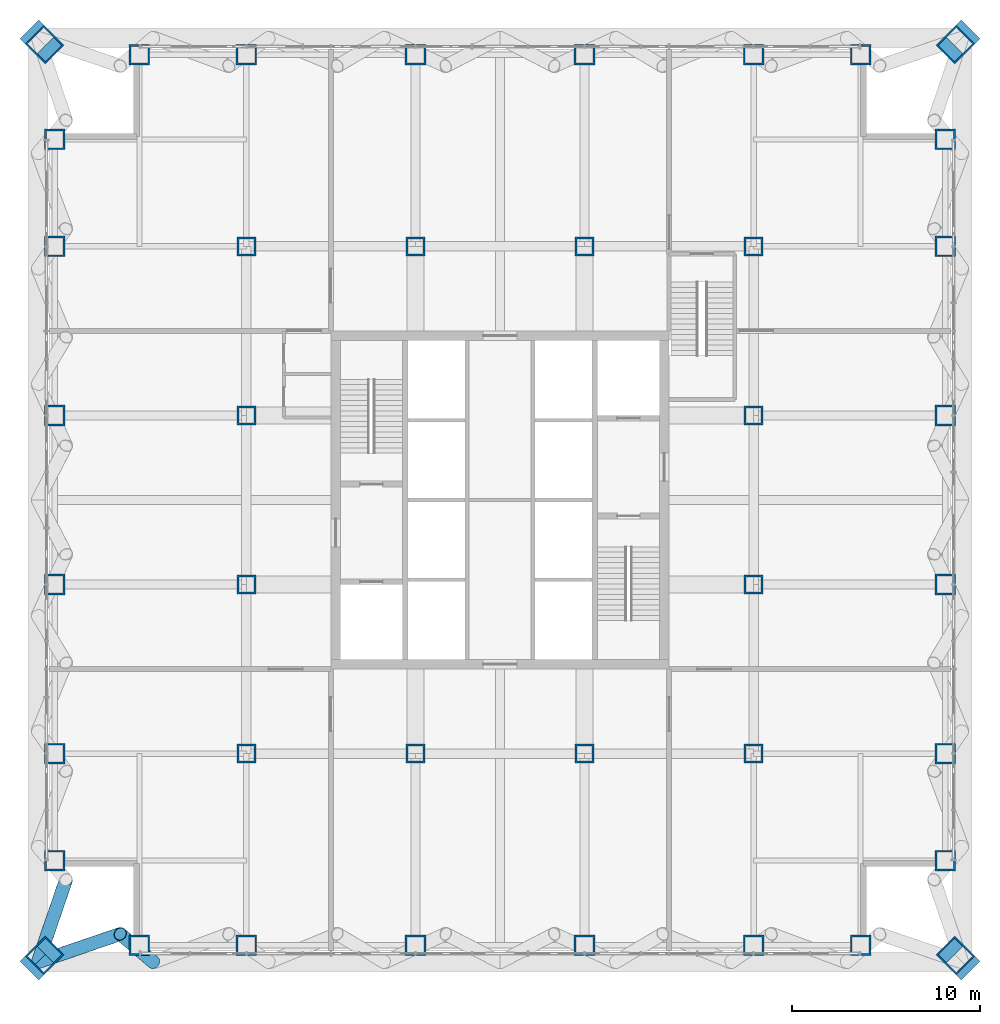
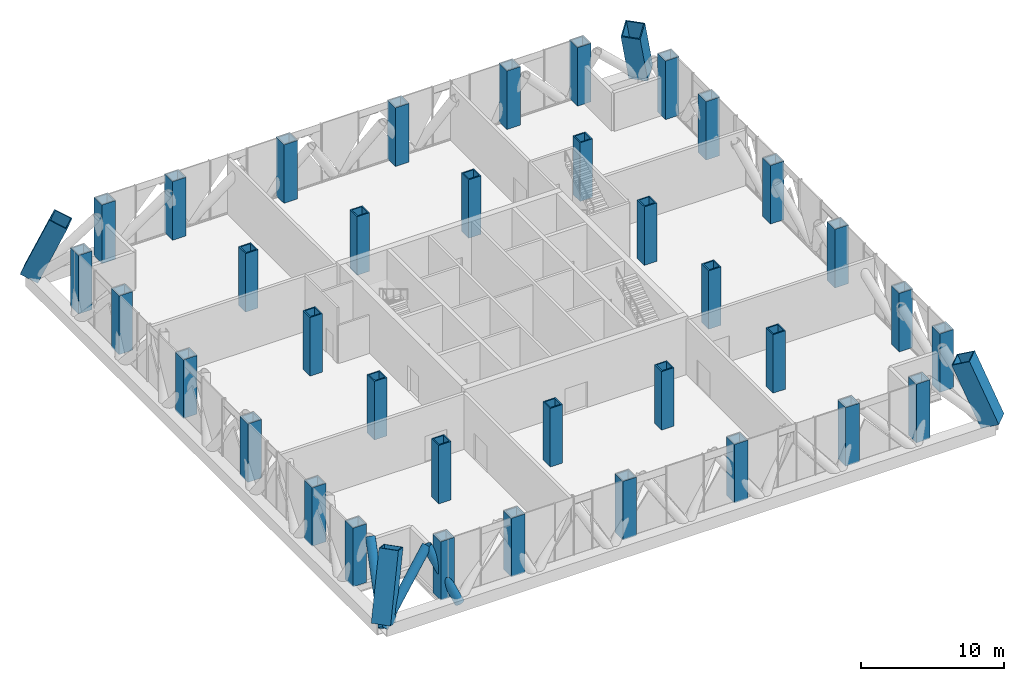
# One storey, part 1 of 29: 40 columns, 3 members.
"""IFC4 building model written with IfcOpenShell, lengths in metres."""

from ifc_helpers import new_model, si_unit, direction, frame, origin, origin_2d, place, context, subcontext, project, spatial, hollow_rectangle, hollow_circle, extrude, material, material_profile, profile_set, type_object, element, save


model = new_model("IFC4")

# Units and contexts
model_context = context("Model", 3, precision=1e-05, world=origin(), true_north=direction((0.0, 1.0)))
body_context = subcontext(model_context, "Body", "Model", "MODEL_VIEW")
ifc_project = project(units=[si_unit("LENGTHUNIT", "METRE"), si_unit("AREAUNIT", "SQUARE_METRE"), si_unit("VOLUMEUNIT", "CUBIC_METRE"), si_unit("PLANEANGLEUNIT", "RADIAN"), si_unit("MASSUNIT", "GRAM", prefix="KILO")], contexts=[model_context])

# Site, building, storey
site_placement = place(None, origin())
site = spatial("IfcSite", under=ifc_project, at=site_placement, CompositionType="ELEMENT")
building_placement = place(site_placement, origin())
building = spatial("IfcBuilding", under=site, at=building_placement, Name="Malebo Sky Hospital", CompositionType="ELEMENT")
storey_placement = place(building_placement, frame((0.0, 0.0, 172.0)))
storey = spatial("IfcBuildingStorey", under=building, at=storey_placement, Name="L41", CompositionType="ELEMENT", Elevation=172.0)

# Columns
ifc_material = material(Name="Steel S460", Category="steel")
ifc_material_profile_1 = material_profile(ifc_material, hollow_rectangle(XDim=1.0, YDim=1.0, WallThickness=0.10009765625, at=origin_2d()), Name="BOX 1000x1000x100")
ifc_profile_set_1 = profile_set([ifc_material_profile_1], Name="Steel S460")
column_type_1 = type_object("IfcColumnType", Name="INNER COLUMN BOX 1000x1000x100", PredefinedType="COLUMN", material=ifc_profile_set_1)
for number, where, z_axis, x_axis, name in (
    (1, (46.5, 48.5, 0.0), (0.0, 0.0, 1.0), (1.0, 0.0, 0.0), "Column IC9 L41"),
    (2, (73.5, 48.5, 0.0), (0.0, 0.0, 1.0), (1.0, 0.0, 0.0), "Column IC9 L41"),
    (3, (73.5, 75.5, 0.0), (0.0, 0.0, 1.0), (1.0, 0.0, 0.0), "Column IC9 L41"),
    (4, (46.5, 75.5, 0.0), (0.0, 0.0, 1.0), (1.0, 0.0, 0.0), "Column IC9 L41"),
    (5, (55.5, 48.5, 0.0), (0.0, 0.0, 1.0), (1.0, 0.0, 0.0), "Column IC9 L41"),
    (6, (64.5, 48.5, 0.0), (0.0, 0.0, 1.0), (1.0, 0.0, 0.0), "Column IC9 L41"),
    (7, (55.5, 75.5, 0.0), (0.0, 0.0, 1.0), (1.0, 0.0, 0.0), "Column IC9 L41"),
    (8, (64.5, 75.5, 0.0), (0.0, 0.0, 1.0), (1.0, 0.0, 0.0), "Column IC9 L41"),
    (9, (46.5, 57.5, 0.0), (0.0, 0.0, 1.0), (1.0, 0.0, 0.0), "Column IC9 L41"),
    (10, (46.5, 66.5, 0.0), (0.0, 0.0, 1.0), (1.0, 0.0, 0.0), "Column IC9 L41"),
    (11, (73.5, 57.5, 0.0), (0.0, 0.0, 1.0), (1.0, 0.0, 0.0), "Column IC9 L41"),
    (12, (73.5, 66.5, 0.0), (0.0, 0.0, 1.0), (1.0, 0.0, 0.0), "Column IC9 L41"),
):
    element("IfcColumn", number, at=place(storey_placement, frame(where, z_axis=z_axis, x_axis=x_axis)), inside=storey, type_object=column_type_1, Name=name, PredefinedType="COLUMN", context=body_context, shape_type="SweptSolid", body=[
        extrude(hollow_rectangle(XDim=1.0, YDim=1.0, WallThickness=0.10009765625, at=origin_2d()), origin(), (0.0, 0.0, 1.0), 5.0),
    ])
ifc_material_profile_2 = material_profile(ifc_material, hollow_rectangle(XDim=1.39990234375, YDim=1.39990234375, WallThickness=0.080078125, at=origin_2d()), Name="BOX 1400x1400x80")
ifc_profile_set_2 = profile_set([ifc_material_profile_2], Name="Steel S460")
column_type_2 = type_object("IfcColumnType", Name="MEGA COLUMN BOX 1400x1400x80", PredefinedType="COLUMN", material=ifc_profile_set_2)
for number, where, z_axis, x_axis, name in (
    (13, (35.39990234375, 37.39990234375, 0.0), (0.276172385369, 0.276172385369, 0.920574617898), (-0.707106781187, 0.707106781187, 0.0), "Mega column SW L41"),
    (14, (84.60009765625, 37.39990234375, 0.0), (-0.276172385369, 0.276172385369, 0.920574617898), (-0.707106781187, -0.707106781187, 0.0), "Mega column SE L41"),
    (15, (84.60009765625, 86.60009765625, 0.0), (-0.276172385369, -0.276172385369, 0.920574617898), (0.707106781187, -0.707106781187, 0.0), "Mega column NE L41"),
    (16, (35.39990234375, 86.60009765625, 0.0), (0.276172385369, -0.276172385369, 0.920574617898), (0.707106781187, 0.707106781187, 0.0), "Mega column NW L41"),
):
    element("IfcColumn", number, at=place(storey_placement, frame(where, z_axis=z_axis, x_axis=x_axis)), inside=storey, type_object=column_type_2, Name=name, PredefinedType="COLUMN", context=body_context, shape_type="SweptSolid", body=[
        extrude(hollow_rectangle(XDim=1.39990234375, YDim=1.39990234375, WallThickness=0.080078125, at=origin_2d()), origin(), (0.0, 0.0, 1.0), 5.431396484375),
    ])
ifc_material_profile_3 = material_profile(ifc_material, hollow_rectangle(XDim=1.10009765625, YDim=1.10009765625, WallThickness=0.10009765625, at=origin_2d()), Name="BOX 1100x1100x100")
ifc_profile_set_3 = profile_set([ifc_material_profile_3], Name="Steel S460")
column_type_3 = type_object("IfcColumnType", Name="PERIMETER COLUMN BOX 1100x1100x100", PredefinedType="COLUMN", material=ifc_profile_set_3)
for number, where, z_axis, x_axis, name in (
    (17, (40.800048828125, 38.300048828125, 0.0), (0.0, 0.0, 1.0), (1.0, 0.0, 0.0), "Column PC10 L41"),
    (18, (40.800048828125, 85.699951171875, 0.0), (0.0, 0.0, 1.0), (1.0, 0.0, 0.0), "Column PC10 L41"),
    (19, (36.300048828125, 42.800048828125, 0.0), (0.0, 0.0, 1.0), (1.0, 0.0, 0.0), "Column PC10 L41"),
    (20, (83.699951171875, 42.800048828125, 0.0), (0.0, 0.0, 1.0), (1.0, 0.0, 0.0), "Column PC10 L41"),
    (21, (46.5, 38.300048828125, 0.0), (0.0, 0.0, 1.0), (1.0, 0.0, 0.0), "Column PC10 L41"),
    (22, (46.5, 85.699951171875, 0.0), (0.0, 0.0, 1.0), (1.0, 0.0, 0.0), "Column PC10 L41"),
    (23, (36.300048828125, 48.5, 0.0), (0.0, 0.0, 1.0), (1.0, 0.0, 0.0), "Column PC10 L41"),
    (24, (83.699951171875, 48.5, 0.0), (0.0, 0.0, 1.0), (1.0, 0.0, 0.0), "Column PC10 L41"),
    (25, (55.5, 38.300048828125, 0.0), (0.0, 0.0, 1.0), (1.0, 0.0, 0.0), "Column PC10 L41"),
    (26, (55.5, 85.699951171875, 0.0), (0.0, 0.0, 1.0), (1.0, 0.0, 0.0), "Column PC10 L41"),
    (27, (36.300048828125, 57.5, 0.0), (0.0, 0.0, 1.0), (1.0, 0.0, 0.0), "Column PC10 L41"),
    (28, (83.699951171875, 57.5, 0.0), (0.0, 0.0, 1.0), (1.0, 0.0, 0.0), "Column PC10 L41"),
    (29, (64.5, 38.300048828125, 0.0), (0.0, 0.0, 1.0), (1.0, 0.0, 0.0), "Column PC10 L41"),
    (30, (64.5, 85.699951171875, 0.0), (0.0, 0.0, 1.0), (1.0, 0.0, 0.0), "Column PC10 L41"),
    (31, (36.300048828125, 66.5, 0.0), (0.0, 0.0, 1.0), (1.0, 0.0, 0.0), "Column PC10 L41"),
    (32, (83.699951171875, 66.5, 0.0), (0.0, 0.0, 1.0), (1.0, 0.0, 0.0), "Column PC10 L41"),
    (33, (73.5, 38.300048828125, 0.0), (0.0, 0.0, 1.0), (1.0, 0.0, 0.0), "Column PC10 L41"),
    (34, (73.5, 85.699951171875, 0.0), (0.0, 0.0, 1.0), (1.0, 0.0, 0.0), "Column PC10 L41"),
    (35, (36.300048828125, 75.5, 0.0), (0.0, 0.0, 1.0), (1.0, 0.0, 0.0), "Column PC10 L41"),
    (36, (83.699951171875, 75.5, 0.0), (0.0, 0.0, 1.0), (1.0, 0.0, 0.0), "Column PC10 L41"),
    (37, (79.199951171875, 38.300048828125, 0.0), (0.0, 0.0, 1.0), (1.0, 0.0, 0.0), "Column PC10 L41"),
    (38, (79.199951171875, 85.699951171875, 0.0), (0.0, 0.0, 1.0), (1.0, 0.0, 0.0), "Column PC10 L41"),
    (39, (36.300048828125, 81.199951171875, 0.0), (0.0, 0.0, 1.0), (1.0, 0.0, 0.0), "Column PC10 L41"),
    (40, (83.699951171875, 81.199951171875, 0.0), (0.0, 0.0, 1.0), (1.0, 0.0, 0.0), "Column PC10 L41"),
):
    element("IfcColumn", number, at=place(storey_placement, frame(where, z_axis=z_axis, x_axis=x_axis)), inside=storey, type_object=column_type_3, Name=name, PredefinedType="COLUMN", context=body_context, shape_type="SweptSolid", body=[
        extrude(hollow_rectangle(XDim=1.10009765625, YDim=1.10009765625, WallThickness=0.10009765625, at=origin_2d()), origin(), (0.0, 0.0, 1.0), 5.0),
    ])

# Members
ifc_material_profile_4 = material_profile(ifc_material, hollow_circle(Radius=0.35546875, WallThickness=0.02490234375, at=origin_2d()), Name="CHS 711x25")
ifc_profile_set_4 = profile_set([ifc_material_profile_4], Name="Steel S460")
member_type = type_object("IfcMemberType", Name="BELT TRUSS DIAGONAL CHS 711x25", PredefinedType="BRACE", material=ifc_profile_set_4)
member_1_placement = place(storey_placement, frame((35.39990234375, 37.39990234375, -0.39990234375), z_axis=(0.675409080109, 0.230898808602, 0.700362987809), x_axis=(-0.323484250944, 0.946233554357, 0.0)))
element("IfcMember", 41, at=member_1_placement, inside=storey, type_object=member_type, Name="Belt truss diagonal S1.1 L41", PredefinedType="BRACE", context=body_context, shape_type="SweptSolid", body=[
    extrude(hollow_circle(Radius=0.35546875, WallThickness=0.02490234375, at=origin_2d()), origin(), (0.0, 0.0, 1.0), 6.496337890625),
])
member_2_placement = place(storey_placement, frame((39.78759765625, 38.89990234375, 4.14990234375), z_axis=(0.345267139836, -0.29385251519, -0.891314367362), x_axis=(0.648129042738, 0.761530527267, 0.0)))
element("IfcMember", 42, at=member_2_placement, inside=storey, type_object=member_type, Name="Belt truss diagonal S1.2 L41", PredefinedType="BRACE", context=body_context, shape_type="SweptSolid", body=[
    extrude(hollow_circle(Radius=0.35546875, WallThickness=0.02490234375, at=origin_2d()), origin(), (0.0, 0.0, 1.0), 5.1044921875),
])
member_3_placement = place(storey_placement, frame((36.89990234375, 41.78759765625, 4.14990234375), z_axis=(-0.230898808602, -0.675409080109, -0.700362987809), x_axis=(0.946233554357, -0.323484250944, 0.0)))
element("IfcMember", 43, at=member_3_placement, inside=storey, type_object=member_type, Name="Belt truss diagonal W8.2 L41", PredefinedType="BRACE", context=body_context, shape_type="SweptSolid", body=[
    extrude(hollow_circle(Radius=0.35546875, WallThickness=0.02490234375, at=origin_2d()), origin(), (0.0, 0.0, 1.0), 6.496337890625),
])

save(model, "model.ifc")
